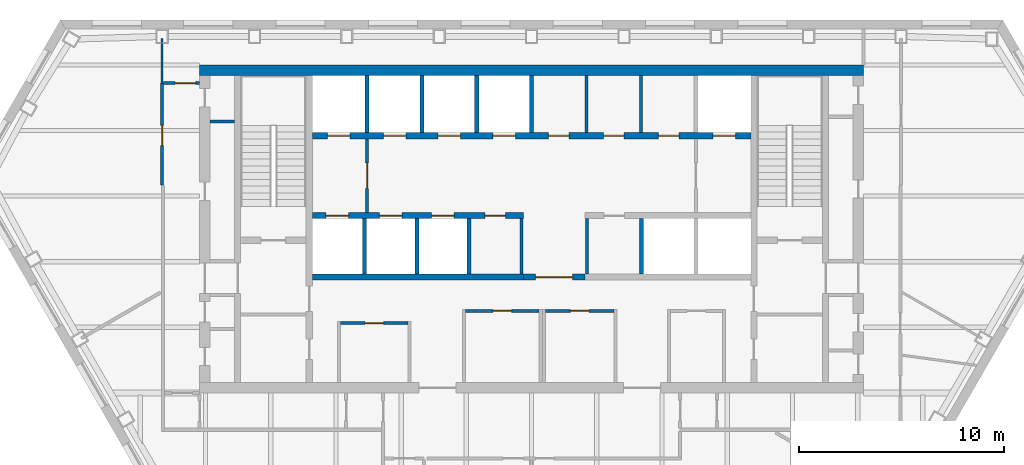
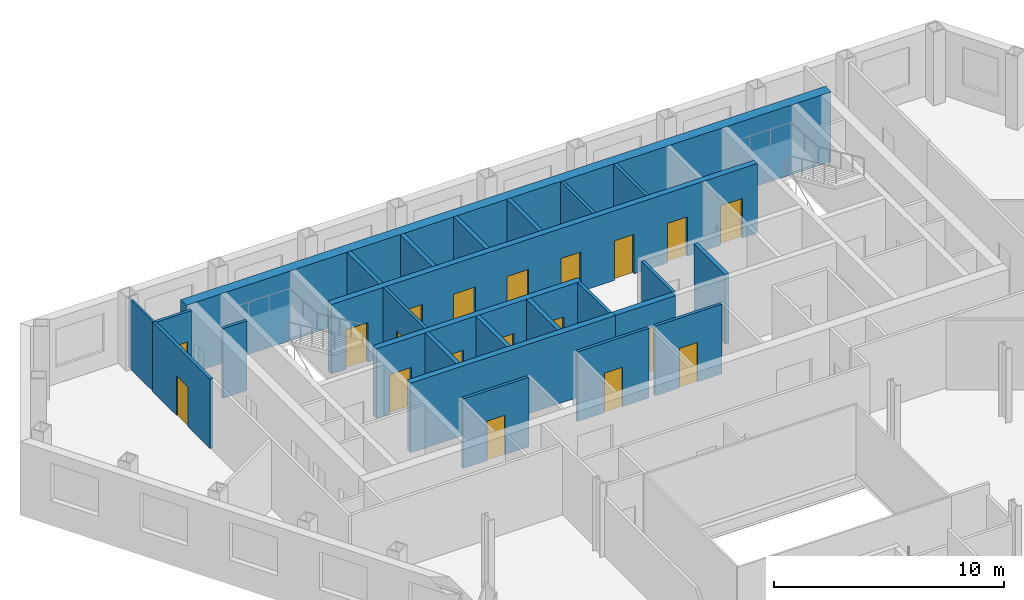
# One storey, part 6 of 11: 25 walls, 19 doors, 19 openings.
"""IFC4 building model written with IfcOpenShell, lengths in metres."""

import ifcopenshell
import ifcopenshell.guid

model = None  # the IFC model being written
_history = None  # IfcOwnerHistory: only IFC2X3 demands one
_inside = {}  # id of a spatial element -> (the spatial element, [elements in it])
_under = {}  # id of a project, library or spatial element -> (it, [spatial elements below it])
_declared = {}  # id of a project -> (the project, [libraries it declares])
_typed = {}  # id of a type object -> (the type object, [elements of that type])
_made_of = {}  # id of a material, layer set ... -> (it, [elements and type objects made of it])


def new_model(schema):
    """Start an empty IFC model of exactly this schema.

    Asked for "IFC4X3", IfcOpenShell would pick the latest addendum, in which some entities
    have other attributes; the version numbers below select the first issue.
    IFC2X3 requires an IfcOwnerHistory on every rooted entity: one is made here for all.
    """
    global model, _history
    if schema == "IFC4X3":
        model = ifcopenshell.file(schema_version=(4, 3, 0, 0))
    else:
        model = ifcopenshell.file(schema=schema)
    _inside.clear()
    _under.clear()
    _declared.clear()
    _typed.clear()
    _made_of.clear()
    _history = None
    if model.schema == "IFC2X3":
        org = make("IfcOrganization", Name="unknown")
        user = make(
            "IfcPersonAndOrganization",
            ThePerson=make("IfcPerson", FamilyName="unknown"),
            TheOrganization=org,
        )
        app = make(
            "IfcApplication",
            ApplicationDeveloper=org,
            Version="unknown",
            ApplicationFullName="unknown",
            ApplicationIdentifier="unknown",
        )
        _history = make(
            "IfcOwnerHistory",
            OwningUser=user,
            OwningApplication=app,
            ChangeAction="ADDED",
            CreationDate=0,
        )
    return model


def make(cls, **values):
    """One entity of the class cls with the attributes given. An attribute that is None is left unset."""
    return model.create_entity(
        cls, **{name: value for name, value in values.items() if value is not None}
    )


def rooted(cls, **values):
    """An entity with a GlobalId (a new one), such as an element, a storey or a relation."""
    return make(cls, GlobalId=ifcopenshell.guid.new(), OwnerHistory=_history, **values)


def si_unit(unit_type, name, prefix=None):
    """IfcSIUnit, for example si_unit("LENGTHUNIT", "METRE", prefix="MILLI")."""
    return make("IfcSIUnit", UnitType=unit_type, Prefix=prefix, Name=name)


def assignment(units):
    """IfcUnitAssignment: the units of a project."""
    return None if units is None else make("IfcUnitAssignment", Units=units)


def point(xyz):
    """IfcCartesianPoint."""
    return None if xyz is None else make("IfcCartesianPoint", Coordinates=xyz)


def direction(xyz):
    """IfcDirection."""
    return None if xyz is None else make("IfcDirection", DirectionRatios=xyz)


def frame(location, z_axis=None, x_axis=None):
    """IfcAxis2Placement3D, a coordinate frame: its origin and axes. An axis left out is left unset."""
    return make(
        "IfcAxis2Placement3D",
        Location=point(location),
        Axis=direction(z_axis),
        RefDirection=direction(x_axis),
    )


def frame_2d(location, x_axis=None):
    """IfcAxis2Placement2D, a coordinate frame in the plane: its origin and x axis."""
    return make(
        "IfcAxis2Placement2D", Location=point(location), RefDirection=direction(x_axis)
    )


def origin():
    """The frame at (0, 0, 0) with its axes left unset."""
    return frame((0.0, 0.0, 0.0))


def place(relative_to, where):
    """IfcLocalPlacement: puts the frame where relative to a parent placement (None: the world)."""
    return make(
        "IfcLocalPlacement", PlacementRelTo=relative_to, RelativePlacement=where
    )


def context(
    kind, dimensions, precision=None, world=None, true_north=None, identifier=None
):
    """IfcGeometricRepresentationContext, for example the 3D "Model" context."""
    return make(
        "IfcGeometricRepresentationContext",
        ContextIdentifier=identifier,
        ContextType=kind,
        CoordinateSpaceDimension=dimensions,
        Precision=precision,
        WorldCoordinateSystem=world,
        TrueNorth=true_north,
    )


def subcontext(parent, identifier, kind, view, scale=None):
    """IfcGeometricRepresentationSubContext, for example "Body" below "Model"."""
    return make(
        "IfcGeometricRepresentationSubContext",
        ContextIdentifier=identifier,
        ContextType=kind,
        ParentContext=parent,
        TargetScale=scale,
        TargetView=view,
    )


def project(units=None, contexts=None):
    """IfcProject with its units and contexts."""
    return rooted(
        "IfcProject",
        Name="project",
        RepresentationContexts=contexts,
        UnitsInContext=assignment(units),
    )


def spatial(cls, under=None, at=None, **own):
    """A site, building, storey or space (cls), placed at a placement, below another one or the project."""
    s = rooted(cls, ObjectPlacement=at, **own)
    if under is not None:
        _under.setdefault(under.id(), (under, []))[1].append(s)
    return s


def profile(cls, at=None, kind="AREA", **sizes):
    """A parametric profile (cls). Its sizes go by their IFC names, for example OverallWidth=200.0."""
    return make(cls, ProfileType=kind, Position=at, **sizes)


def rectangle(**sizes):
    """IfcRectangleProfileDef."""
    return profile("IfcRectangleProfileDef", **sizes)


def extrude(swept, where, along, depth):
    """IfcExtrudedAreaSolid: the profile swept, set in the frame where, extruded along a direction by depth."""
    return make(
        "IfcExtrudedAreaSolid",
        SweptArea=swept,
        Position=where,
        ExtrudedDirection=direction(along),
        Depth=depth,
    )


def shape(context_of_items, identifier, shape_type, items):
    """IfcShapeRepresentation: the items that make up one representation, for example the "Body"."""
    return make(
        "IfcShapeRepresentation",
        ContextOfItems=context_of_items,
        RepresentationIdentifier=identifier,
        RepresentationType=shape_type,
        Items=items,
    )


def material(Name=None, Category=None):
    """IfcMaterial."""
    return make("IfcMaterial", Name=Name, Category=Category)


def layer(
    of_material, thickness, ventilated=None, Name=None, Category=None, Priority=None
):
    """IfcMaterialLayer: one layer of a wall or slab, of a material (None: an air gap)."""
    return make(
        "IfcMaterialLayer",
        Material=of_material,
        LayerThickness=thickness,
        IsVentilated=ventilated,
        Name=Name,
        Category=Category,
        Priority=Priority,
    )


def layer_set(layers, Name=None):
    """IfcMaterialLayerSet."""
    return make("IfcMaterialLayerSet", MaterialLayers=layers, LayerSetName=Name)


def made_of(thing, what):
    """Note that an element or type object is made of a material, layer set ...; save() writes the relation."""
    if what is not None:
        _made_of.setdefault(what.id(), (what, []))[1].append(thing)
    return thing


def type_object(cls, material=None, **own):
    """A type object (cls), such as IfcWallType, which elements share."""
    return made_of(rooted(cls, **own), material)


def element(
    cls,
    number,
    at=None,
    inside=None,
    cuts=None,
    type_object=None,
    material=None,
    context=None,
    identifier="Body",
    shape_type=None,
    held_by="IfcProductDefinitionShape",
    body=None,
    shapes=None,
    **own,
):
    """One element of the class cls, such as IfcWall. Its Tag is "e" and its number.

    at: its placement. inside: the storey or other place that contains it. cuts: it is an
    opening in that element (IfcRelVoidsElement). A single representation is given by context,
    identifier, shape_type and body (its items); several are given by shapes. held_by: the class
    of the entity that holds the representations. save() writes the other relations.
    """
    e = rooted(cls, Tag="e%d" % number, ObjectPlacement=at, **own)
    if body is not None:
        shapes = [shape(context, identifier, shape_type, body)]
    if shapes is not None:
        e.Representation = make(held_by, Representations=shapes)
    if inside is not None:
        _inside.setdefault(inside.id(), (inside, []))[1].append(e)
    if cuts is not None:
        rooted(
            "IfcRelVoidsElement", RelatingBuildingElement=cuts, RelatedOpeningElement=e
        )
    if type_object is not None:
        _typed.setdefault(type_object.id(), (type_object, []))[1].append(e)
    return made_of(e, material)


def fill(opening, filler):
    """IfcRelFillsElement: the door or window that sits in an opening."""
    return rooted(
        "IfcRelFillsElement",
        RelatingOpeningElement=opening,
        RelatedBuildingElement=filler,
    )


def aggregate(whole, parts):
    """IfcRelAggregates: a whole, such as a stair, and the parts it consists of."""
    return rooted("IfcRelAggregates", RelatingObject=whole, RelatedObjects=parts)


def save(model, path):
    """Write the relations noted so far, then the file.

    IfcRelAggregates (storeys below a building ...), IfcRelContainedInSpatialStructure (elements
    in a storey), IfcRelDefinesByType, IfcRelAssociatesMaterial and IfcRelDeclares: one each for
    every whole, place, type object, material and project.
    """
    for whole, parts in _under.values():
        aggregate(whole, parts)
    for where, things in _inside.values():
        rooted(
            "IfcRelContainedInSpatialStructure",
            RelatedElements=things,
            RelatingStructure=where,
        )
    for kind, things in _typed.values():
        rooted("IfcRelDefinesByType", RelatedObjects=things, RelatingType=kind)
    for what, things in _made_of.values():
        rooted("IfcRelAssociatesMaterial", RelatedObjects=things, RelatingMaterial=what)
    for by, libraries in _declared.values():
        rooted("IfcRelDeclares", RelatingContext=by, RelatedDefinitions=libraries)
    model.write(path)


model = new_model("IFC4")

# Units and contexts
model_context = context("Model", 3, precision=1e-05, world=origin(), true_north=direction((0.0, 1.0)))
body_context = subcontext(model_context, "Body", "Model", "MODEL_VIEW")
ifc_project = project(units=[si_unit("LENGTHUNIT", "METRE"), si_unit("AREAUNIT", "SQUARE_METRE"), si_unit("VOLUMEUNIT", "CUBIC_METRE"), si_unit("PLANEANGLEUNIT", "RADIAN"), si_unit("MASSUNIT", "GRAM", prefix="KILO")], contexts=[model_context])

# Site, building, storey
site_placement = place(None, origin())
site = spatial("IfcSite", under=ifc_project, at=site_placement, CompositionType="ELEMENT")
building_placement = place(site_placement, origin())
building = spatial("IfcBuilding", under=site, at=building_placement, Name="Njiva Tower", CompositionType="ELEMENT")
storey_placement = place(building_placement, frame((0.0, 0.0, 143.7)))
storey = spatial("IfcBuildingStorey", under=building, at=storey_placement, Name="L30", CompositionType="ELEMENT", Elevation=143.7)

# Walls
ifc_material_1 = material(Name="Blockwork", Category="masonry")
ifc_layer_1 = layer(ifc_material_1, 0.15)
ifc_layer_set_1 = layer_set([ifc_layer_1], Name="Blockwork")
wall_type_1 = type_object("IfcWallType", Name="WT1 Compartment partition 150", PredefinedType="PARTITIONING", material=ifc_layer_set_1)
for number, where, z_axis, x_axis, name in (
    (1, (2.675, 14.7, 0.0), (0.0, 0.0, 1.0), (0.0, 1.0, 0.0), "Partition CN5"),
    (2, (5.35, 14.7, 0.0), (0.0, 0.0, 1.0), (0.0, 1.0, 0.0), "Partition CN6"),
):
    element("IfcWall", number, at=place(storey_placement, frame(where, z_axis=z_axis, x_axis=x_axis)), inside=storey, type_object=wall_type_1, Name=name, PredefinedType="PARTITIONING", context=body_context, shape_type="SweptSolid", body=[
        extrude(rectangle(XDim=2.8, YDim=0.15, at=frame_2d((1.4, 0.0))), origin(), (0.0, 0.0, 1.0), 3.7),
    ])
for number, where, z_axis, x_axis, name in (
    (3, (-0.5, 7.8, 0.0), (0.0, 0.0, 1.0), (0.0, 1.0, 0.0), "Partition CS4"),
    (4, (2.7, 7.8, 0.0), (0.0, 0.0, 1.0), (0.0, 1.0, 0.0), "Partition CS5"),
):
    element("IfcWall", number, at=place(storey_placement, frame(where, z_axis=z_axis, x_axis=x_axis)), inside=storey, type_object=wall_type_1, Name=name, PredefinedType="PARTITIONING", context=body_context, shape_type="SweptSolid", body=[
        extrude(rectangle(XDim=2.7, YDim=0.15, at=frame_2d((1.35, 0.0))), origin(), (0.0, 0.0, 1.0), 3.7),
    ])

# Wall, opening, door
wall_1_placement = place(storey_placement, frame((-9.325, 5.4, 0.0), z_axis=(0.0, 0.0, 1.0), x_axis=(1.0, 0.0, 0.0)))
wall_1 = element("IfcWall", 5, at=wall_1_placement, inside=storey, type_object=wall_type_1, Name="Security office wall north", PredefinedType="PARTITIONING", context=body_context, shape_type="SweptSolid", body=[
    extrude(rectangle(XDim=3.3, YDim=0.15, at=frame_2d((1.65, 0.0))), origin(), (0.0, 0.0, 1.0), 3.7),
])
opening_1_placement = place(wall_1_placement, frame((1.2, 0.0, 0.0)))
opening_1 = element("IfcOpeningElement", 6, at=opening_1_placement, cuts=wall_1, Name="Opening S10-D934", PredefinedType="OPENING", context=body_context, shape_type="SweptSolid", body=[
    extrude(rectangle(XDim=0.9, YDim=2.1, at=frame_2d((0.45, 1.05))), frame((0.0, 0.085, 0.0), z_axis=(0.0, -1.0, 0.0), x_axis=(1.0, 0.0, 0.0)), (0.0, 0.0, 1.0), 0.17),
])
ifc_material_2 = material(Name="Steel fire door, painted", Category="steel")
door_type_1 = type_object("IfcDoorType", Name="D6 Fire-rated door 900x2100", OperationType="SINGLE_SWING_LEFT", PredefinedType="DOOR", material=ifc_material_2)
door_1_placement = place(opening_1_placement, origin())
door_1 = element("IfcDoor", 7, at=door_1_placement, inside=storey, type_object=door_type_1, Name="Security office door", OperationType="SINGLE_SWING_RIGHT", OverallHeight=2.1, OverallWidth=0.9, PredefinedType="DOOR", context=body_context, shape_type="SweptSolid", body=[
    extrude(rectangle(XDim=0.9, YDim=2.1, at=frame_2d((0.45, 1.05))), frame((0.0, 0.025, 0.0), z_axis=(0.0, -1.0, 0.0), x_axis=(1.0, 0.0, 0.0)), (0.0, 0.0, 1.0), 0.05),
])
fill(opening_1, door_1)

wall_2_placement = place(storey_placement, frame((-3.225, 6.0, 0.0), z_axis=(0.0, 0.0, 1.0), x_axis=(1.0, 0.0, 0.0)))
wall_2 = element("IfcWall", 8, at=wall_2_placement, inside=storey, type_object=wall_type_1, Name="Concierge office wall north", PredefinedType="PARTITIONING", context=body_context, shape_type="SweptSolid", body=[
    extrude(rectangle(XDim=3.6, YDim=0.15, at=frame_2d((1.8, 0.0))), origin(), (0.0, 0.0, 1.0), 3.7),
])
opening_2_placement = place(wall_2_placement, frame((1.35, 0.0, 0.0)))
opening_2 = element("IfcOpeningElement", 9, at=opening_2_placement, cuts=wall_2, Name="Opening S10-D935", PredefinedType="OPENING", context=body_context, shape_type="SweptSolid", body=[
    extrude(rectangle(XDim=0.9, YDim=2.1, at=frame_2d((0.45, 1.05))), frame((0.0, 0.085, 0.0), z_axis=(0.0, -1.0, 0.0), x_axis=(1.0, 0.0, 0.0)), (0.0, 0.0, 1.0), 0.17),
])
door_2_placement = place(opening_2_placement, origin())
door_2 = element("IfcDoor", 10, at=door_2_placement, inside=storey, type_object=door_type_1, Name="Concierge office door", OperationType="SINGLE_SWING_LEFT", OverallHeight=2.1, OverallWidth=0.9, PredefinedType="DOOR", context=body_context, shape_type="SweptSolid", body=[
    extrude(rectangle(XDim=0.9, YDim=2.1, at=frame_2d((0.45, 1.05))), frame((0.0, 0.025, 0.0), z_axis=(0.0, -1.0, 0.0), x_axis=(1.0, 0.0, 0.0)), (0.0, 0.0, 1.0), 0.05),
])
fill(opening_2, door_2)

wall_3_placement = place(storey_placement, frame((0.675, 6.0, 0.0), z_axis=(0.0, 0.0, 1.0), x_axis=(1.0, 0.0, 0.0)))
wall_3 = element("IfcWall", 11, at=wall_3_placement, inside=storey, type_object=wall_type_1, Name="Post room wall north", PredefinedType="PARTITIONING", context=body_context, shape_type="SweptSolid", body=[
    extrude(rectangle(XDim=3.35, YDim=0.15, at=frame_2d((1.675, 0.0))), origin(), (0.0, 0.0, 1.0), 3.7),
])
opening_3_placement = place(wall_3_placement, frame((1.225, 0.0, 0.0)))
opening_3 = element("IfcOpeningElement", 12, at=opening_3_placement, cuts=wall_3, Name="Opening S10-D936", PredefinedType="OPENING", context=body_context, shape_type="SweptSolid", body=[
    extrude(rectangle(XDim=0.9, YDim=2.1, at=frame_2d((0.45, 1.05))), frame((0.0, 0.085, 0.0), z_axis=(0.0, -1.0, 0.0), x_axis=(1.0, 0.0, 0.0)), (0.0, 0.0, 1.0), 0.17),
])
door_3_placement = place(opening_3_placement, origin())
door_3 = element("IfcDoor", 13, at=door_3_placement, inside=storey, type_object=door_type_1, Name="Post room door", OperationType="SINGLE_SWING_LEFT", OverallHeight=2.1, OverallWidth=0.9, PredefinedType="DOOR", context=body_context, shape_type="SweptSolid", body=[
    extrude(rectangle(XDim=0.9, YDim=2.1, at=frame_2d((0.45, 1.05))), frame((0.0, 0.025, 0.0), z_axis=(0.0, -1.0, 0.0), x_axis=(1.0, 0.0, 0.0)), (0.0, 0.0, 1.0), 0.05),
])
fill(opening_3, door_3)

# Wall
ifc_material_3 = material(Name="Concrete C60/75", Category="concrete")
ifc_layer_2 = layer(ifc_material_3, 0.5)
ifc_layer_set_2 = layer_set([ifc_layer_2], Name="Concrete C60/75")
wall_type_2 = type_object("IfcWallType", Name="WT13 Core wall 500", PredefinedType="SHEAR", material=ifc_layer_set_2)
wall_4_placement = place(storey_placement, frame((-16.2, 17.75, 0.0), z_axis=(0.0, 0.0, 1.0), x_axis=(1.0, 0.0, 0.0)))
element("IfcWall", 14, at=wall_4_placement, inside=storey, type_object=wall_type_2, Name="Core wall north", PredefinedType="SHEAR", context=body_context, shape_type="SweptSolid", body=[
    extrude(rectangle(XDim=32.4, YDim=0.5, at=frame_2d((16.2, 0.0))), origin(), (0.0, 0.0, 1.0), 3.7),
])

# Wall, opening, door
ifc_layer_3 = layer(ifc_material_1, 0.15)
ifc_layer_set_3 = layer_set([ifc_layer_3], Name="Blockwork")
wall_type_3 = type_object("IfcWallType", Name="WT2 Lobby partition 150", PredefinedType="PARTITIONING", material=ifc_layer_set_3)
wall_5_placement = place(storey_placement, frame((-8.025, 10.8, 0.0), z_axis=(0.0, 0.0, 1.0), x_axis=(0.0, 1.0, 0.0)))
wall_5 = element("IfcWall", 15, at=wall_5_placement, inside=storey, type_object=wall_type_3, Name="Firefighting lobby wall A", PredefinedType="PARTITIONING", context=body_context, shape_type="SweptSolid", body=[
    extrude(rectangle(XDim=3.6, YDim=0.15, at=frame_2d((1.8, 0.0))), origin(), (0.0, 0.0, 1.0), 3.7),
])
opening_4_placement = place(wall_5_placement, frame((1.175, 0.0, 0.0)))
opening_4 = element("IfcOpeningElement", 16, at=opening_4_placement, cuts=wall_5, Name="Opening S10-D914", PredefinedType="OPENING", context=body_context, shape_type="SweptSolid", body=[
    extrude(rectangle(XDim=1.25, YDim=2.1, at=frame_2d((0.625, 1.05))), frame((0.0, 0.085, 0.0), z_axis=(0.0, -1.0, 0.0), x_axis=(1.0, 0.0, 0.0)), (0.0, 0.0, 1.0), 0.17),
])
ifc_material_4 = material(Name="Glazed steel fire door", Category="steel")
door_type_2 = type_object("IfcDoorType", Name="D8 Vestibule corridor door 1250x2100 glazed", OperationType="SINGLE_SWING_LEFT", PredefinedType="DOOR", material=ifc_material_4)
door_4_placement = place(opening_4_placement, origin())
door_4 = element("IfcDoor", 17, at=door_4_placement, inside=storey, type_object=door_type_2, Name="Stair vestibule corridor door", OperationType="SINGLE_SWING_RIGHT", OverallHeight=2.1, OverallWidth=1.25, PredefinedType="DOOR", context=body_context, shape_type="SweptSolid", body=[
    extrude(rectangle(XDim=1.25, YDim=2.1, at=frame_2d((0.625, 1.05))), frame((0.0, 0.025, 0.0), z_axis=(0.0, -1.0, 0.0), x_axis=(1.0, 0.0, 0.0)), (0.0, 0.0, 1.0), 0.05),
])
fill(opening_4, door_4)

# Wall
ifc_material_5 = material(Name="Gypsum board on steel studs", Category="gypsum")
ifc_layer_4 = layer(ifc_material_5, 0.1)
ifc_layer_set_4 = layer_set([ifc_layer_4], Name="Gypsum board on steel studs")
wall_type_4 = type_object("IfcWallType", Name="WT20 Gypsum partition 100", PredefinedType="PARTITIONING", material=ifc_layer_set_4)
wall_6_placement = place(storey_placement, frame((-18.034, 17.129, 0.0), z_axis=(0.0, 0.0, 1.0), x_axis=(0.0, 1.0, 0.0)))
element("IfcWall", 18, at=wall_6_placement, inside=storey, type_object=wall_type_4, Name="Partition S10-P003", PredefinedType="PARTITIONING", context=body_context, shape_type="SweptSolid", body=[
    extrude(rectangle(XDim=2.171, YDim=0.1, at=frame_2d((1.0855, 0.0))), origin(), (0.0, 0.0, 1.0), 3.7),
])

# Wall, opening, door
ifc_layer_5 = layer(ifc_material_5, 0.15)
ifc_layer_set_5 = layer_set([ifc_layer_5], Name="Gypsum board on steel studs")
wall_type_5 = type_object("IfcWallType", Name="WT21 Compartment wall 150", PredefinedType="PARTITIONING", material=ifc_layer_set_5)
wall_7_placement = place(storey_placement, frame((-18.034, 12.146, 0.0), z_axis=(0.0, 0.0, 1.0), x_axis=(0.0, 1.0, 0.0)))
wall_7 = element("IfcWall", 19, at=wall_7_placement, inside=storey, type_object=wall_type_5, Name="Partition S10-P002", PredefinedType="PARTITIONING", context=body_context, shape_type="SweptSolid", body=[
    extrude(rectangle(XDim=4.983, YDim=0.15, at=frame_2d((2.4915, 0.0))), origin(), (0.0, 0.0, 1.0), 3.7),
])
opening_5_placement = place(wall_7_placement, frame((1.916, 0.0, 0.0)))
opening_5 = element("IfcOpeningElement", 20, at=opening_5_placement, cuts=wall_7, Name="Opening S10-D001", PredefinedType="OPENING", context=body_context, shape_type="SweptSolid", body=[
    extrude(rectangle(XDim=1.0, YDim=2.1, at=frame_2d((0.5, 1.05))), frame((0.0, 0.085, 0.0), z_axis=(0.0, -1.0, 0.0), x_axis=(1.0, 0.0, 0.0)), (0.0, 0.0, 1.0), 0.17),
])
ifc_material_6 = material(Name="Steel fire door set", Category="steel")
door_type_3 = type_object("IfcDoorType", Name="D37 Fire door 1000x2100", OperationType="SINGLE_SWING_LEFT", PredefinedType="DOOR", material=ifc_material_6)
door_5_placement = place(opening_5_placement, origin())
door_5 = element("IfcDoor", 21, at=door_5_placement, inside=storey, type_object=door_type_3, Name="Door S10-D001", OperationType="SINGLE_SWING_RIGHT", OverallHeight=2.1, OverallWidth=1.0, PredefinedType="DOOR", context=body_context, shape_type="SweptSolid", body=[
    extrude(rectangle(XDim=1.0, YDim=2.1, at=frame_2d((0.5, 1.05))), frame((0.0, 0.025, 0.0), z_axis=(0.0, -1.0, 0.0), x_axis=(1.0, 0.0, 0.0)), (0.0, 0.0, 1.0), 0.05),
])
fill(opening_5, door_5)

wall_8_placement = place(storey_placement, frame((-17.959, 17.117, 0.0), z_axis=(0.0, 0.0, 1.0), x_axis=(1.0, 0.0, 0.0)))
wall_8 = element("IfcWall", 22, at=wall_8_placement, inside=storey, type_object=wall_type_5, Name="Partition S10-P005", PredefinedType="PARTITIONING", context=body_context, shape_type="SweptSolid", body=[
    extrude(rectangle(XDim=1.759, YDim=0.15, at=frame_2d((0.8795, 0.0))), origin(), (0.0, 0.0, 1.0), 3.7),
])
opening_6_placement = place(wall_8_placement, frame((0.559, 0.0, 0.0)))
opening_6 = element("IfcOpeningElement", 23, at=opening_6_placement, cuts=wall_8, Name="Opening S10-D002", PredefinedType="OPENING", context=body_context, shape_type="SweptSolid", body=[
    extrude(rectangle(XDim=1.0, YDim=2.1, at=frame_2d((0.5, 1.05))), frame((0.0, 0.085, 0.0), z_axis=(0.0, -1.0, 0.0), x_axis=(1.0, 0.0, 0.0)), (0.0, 0.0, 1.0), 0.17),
])
door_6_placement = place(opening_6_placement, origin())
door_6 = element("IfcDoor", 24, at=door_6_placement, inside=storey, type_object=door_type_3, Name="Door S10-D002", OperationType="SINGLE_SWING_LEFT", OverallHeight=2.1, OverallWidth=1.0, PredefinedType="DOOR", context=body_context, shape_type="SweptSolid", body=[
    extrude(rectangle(XDim=1.0, YDim=2.1, at=frame_2d((0.5, 1.05))), frame((0.0, 0.025, 0.0), z_axis=(0.0, -1.0, 0.0), x_axis=(1.0, 0.0, 0.0)), (0.0, 0.0, 1.0), 0.05),
])
fill(opening_6, door_6)

# Wall
ifc_layer_6 = layer(ifc_material_1, 0.15)
ifc_layer_set_6 = layer_set([ifc_layer_6], Name="Blockwork")
wall_type_6 = type_object("IfcWallType", Name="WT3 Riser partition 150", PredefinedType="PARTITIONING", material=ifc_layer_set_6)
wall_9_placement = place(storey_placement, frame((-15.7, 15.2396, 0.0), z_axis=(0.0, 0.0, 1.0), x_axis=(1.0, 0.0, 0.0)))
element("IfcWall", 25, at=wall_9_placement, inside=storey, type_object=wall_type_6, Name="Partition strip W10", PredefinedType="PARTITIONING", context=body_context, shape_type="SweptSolid", body=[
    extrude(rectangle(XDim=1.2, YDim=0.15, at=frame_2d((0.6, 0.0))), origin(), (0.0, 0.0, 1.0), 3.7),
])

# Wall, opening, door
ifc_layer_7 = layer(ifc_material_1, 0.3)
ifc_layer_set_7 = layer_set([ifc_layer_7], Name="Blockwork")
wall_type_7 = type_object("IfcWallType", Name="WT5 Lobby partition 300", PredefinedType="PARTITIONING", material=ifc_layer_set_7)
wall_10_placement = place(storey_placement, frame((-0.4, 7.65, 0.0), z_axis=(0.0, 0.0, 1.0), x_axis=(1.0, 0.0, 0.0)))
wall_10 = element("IfcWall", 26, at=wall_10_placement, inside=storey, type_object=wall_type_7, Name="Lift lobby screen wall", PredefinedType="PARTITIONING", context=body_context, shape_type="SweptSolid", body=[
    extrude(rectangle(XDim=3.0, YDim=0.3, at=frame_2d((1.5, 0.0))), origin(), (0.0, 0.0, 1.0), 3.7),
])
opening_7_placement = place(wall_10_placement, frame((0.6, 0.0, 0.0)))
opening_7 = element("IfcOpeningElement", 27, at=opening_7_placement, cuts=wall_10, Name="Opening S10-D938", PredefinedType="OPENING", context=body_context, shape_type="SweptSolid", body=[
    extrude(rectangle(XDim=1.8, YDim=2.4, at=frame_2d((0.9, 1.2))), frame((0.0, 0.16, 0.0), z_axis=(0.0, -1.0, 0.0), x_axis=(1.0, 0.0, 0.0)), (0.0, 0.0, 1.0), 0.32),
])
ifc_material_7 = material(Name="Steel and glass door", Category="steel")
door_type_4 = type_object("IfcDoorType", Name="D3 Core entrance door 1800x2400", OperationType="DOUBLE_DOOR_SINGLE_SWING", PredefinedType="DOOR", material=ifc_material_7)
door_7_placement = place(opening_7_placement, origin())
door_7 = element("IfcDoor", 28, at=door_7_placement, inside=storey, type_object=door_type_4, Name="Core entrance door", OperationType="DOUBLE_DOOR_SINGLE_SWING", OverallHeight=2.4, OverallWidth=1.8, PredefinedType="DOOR", context=body_context, shape_type="SweptSolid", body=[
    extrude(rectangle(XDim=1.8, YDim=2.4, at=frame_2d((0.9, 1.2))), frame((0.0, 0.025, 0.0), z_axis=(0.0, -1.0, 0.0), x_axis=(1.0, 0.0, 0.0)), (0.0, 0.0, 1.0), 0.05),
])
fill(opening_7, door_7)

# Walls
ifc_material_8 = material(Name="Concrete C40/50", Category="concrete")
ifc_layer_8 = layer(ifc_material_8, 0.2)
ifc_layer_set_8 = layer_set([ifc_layer_8], Name="Concrete C40/50")
wall_type_8 = type_object("IfcWallType", Name="WT6 Lift shaft wall 200", PredefinedType="SHEAR", material=ifc_layer_set_8)
for number, where, z_axis, x_axis, name in (
    (29, (-8.025, 14.7, 0.0), (0.0, 0.0, 1.0), (0.0, 1.0, 0.0), "Shaft wall CN1"),
    (30, (-5.35, 14.7, 0.0), (0.0, 0.0, 1.0), (0.0, 1.0, 0.0), "Shaft wall CN2"),
    (31, (-2.675, 14.7, 0.0), (0.0, 0.0, 1.0), (0.0, 1.0, 0.0), "Shaft wall CN3"),
    (32, (0.0, 14.7, 0.0), (0.0, 0.0, 1.0), (0.0, 1.0, 0.0), "Shaft wall CN4"),
):
    element("IfcWall", number, at=place(storey_placement, frame(where, z_axis=z_axis, x_axis=x_axis)), inside=storey, type_object=wall_type_8, Name=name, PredefinedType="SHEAR", context=body_context, shape_type="SweptSolid", body=[
        extrude(rectangle(XDim=2.8, YDim=0.2, at=frame_2d((1.4, 0.0))), origin(), (0.0, 0.0, 1.0), 3.7),
    ])
for number, where, z_axis, x_axis, name in (
    (33, (-8.15, 7.8, 0.0), (0.0, 0.0, 1.0), (0.0, 1.0, 0.0), "Shaft wall CS1"),
    (34, (-5.6, 7.8, 0.0), (0.0, 0.0, 1.0), (0.0, 1.0, 0.0), "Shaft wall CS2"),
    (35, (-3.05, 7.8, 0.0), (0.0, 0.0, 1.0), (0.0, 1.0, 0.0), "Shaft wall CS3"),
    (36, (5.3667, 7.8, 0.0), (0.0, 0.0, 1.0), (0.0, 1.0, 0.0), "Shaft wall CS6"),
):
    element("IfcWall", number, at=place(storey_placement, frame(where, z_axis=z_axis, x_axis=x_axis)), inside=storey, type_object=wall_type_8, Name=name, PredefinedType="SHEAR", context=body_context, shape_type="SweptSolid", body=[
        extrude(rectangle(XDim=2.7, YDim=0.2, at=frame_2d((1.35, 0.0))), origin(), (0.0, 0.0, 1.0), 3.7),
    ])

# Wall, openings, doors
ifc_layer_9 = layer(ifc_material_8, 0.3)
ifc_layer_set_9 = layer_set([ifc_layer_9], Name="Concrete C40/50")
wall_type_9 = type_object("IfcWallType", Name="WT7 Lift shaft wall 300", PredefinedType="SHEAR", material=ifc_layer_set_9)
wall_11_placement = place(storey_placement, frame((-10.7, 14.55, 0.0), z_axis=(0.0, 0.0, 1.0), x_axis=(1.0, 0.0, 0.0)))
wall_11 = element("IfcWall", 37, at=wall_11_placement, inside=storey, type_object=wall_type_9, Name="Shaft wall north row lobby side", PredefinedType="SHEAR", context=body_context, shape_type="SweptSolid", body=[
    extrude(rectangle(XDim=21.4, YDim=0.3, at=frame_2d((10.7, 0.0))), origin(), (0.0, 0.0, 1.0), 3.7),
])
opening_8_placement = place(wall_11_placement, frame((0.7375, 0.0, 0.0)))
opening_8 = element("IfcOpeningElement", 38, at=opening_8_placement, cuts=wall_11, Name="Opening S10-D901", PredefinedType="OPENING", context=body_context, shape_type="SweptSolid", body=[
    extrude(rectangle(XDim=1.1, YDim=2.1, at=frame_2d((0.55, 1.05))), frame((0.0, 0.16, 0.0), z_axis=(0.0, -1.0, 0.0), x_axis=(1.0, 0.0, 0.0)), (0.0, 0.0, 1.0), 0.32),
])
opening_9_placement = place(wall_11_placement, frame((3.4625, 0.0, 0.0)))
opening_9 = element("IfcOpeningElement", 39, at=opening_9_placement, cuts=wall_11, Name="Opening S10-D902", PredefinedType="OPENING", context=body_context, shape_type="SweptSolid", body=[
    extrude(rectangle(XDim=1.1, YDim=2.1, at=frame_2d((0.55, 1.05))), frame((0.0, 0.16, 0.0), z_axis=(0.0, -1.0, 0.0), x_axis=(1.0, 0.0, 0.0)), (0.0, 0.0, 1.0), 0.32),
])
opening_10_placement = place(wall_11_placement, frame((6.1375, 0.0, 0.0)))
opening_10 = element("IfcOpeningElement", 40, at=opening_10_placement, cuts=wall_11, Name="Opening S10-D903", PredefinedType="OPENING", context=body_context, shape_type="SweptSolid", body=[
    extrude(rectangle(XDim=1.1, YDim=2.1, at=frame_2d((0.55, 1.05))), frame((0.0, 0.16, 0.0), z_axis=(0.0, -1.0, 0.0), x_axis=(1.0, 0.0, 0.0)), (0.0, 0.0, 1.0), 0.32),
])
opening_11_placement = place(wall_11_placement, frame((8.8125, 0.0, 0.0)))
opening_11 = element("IfcOpeningElement", 41, at=opening_11_placement, cuts=wall_11, Name="Opening S10-D904", PredefinedType="OPENING", context=body_context, shape_type="SweptSolid", body=[
    extrude(rectangle(XDim=1.1, YDim=2.1, at=frame_2d((0.55, 1.05))), frame((0.0, 0.16, 0.0), z_axis=(0.0, -1.0, 0.0), x_axis=(1.0, 0.0, 0.0)), (0.0, 0.0, 1.0), 0.32),
])
opening_12_placement = place(wall_11_placement, frame((19.5625, 0.0, 0.0)))
opening_12 = element("IfcOpeningElement", 42, at=opening_12_placement, cuts=wall_11, Name="Opening S10-D905", PredefinedType="OPENING", context=body_context, shape_type="SweptSolid", body=[
    extrude(rectangle(XDim=1.1, YDim=2.1, at=frame_2d((0.55, 1.05))), frame((0.0, 0.16, 0.0), z_axis=(0.0, -1.0, 0.0), x_axis=(1.0, 0.0, 0.0)), (0.0, 0.0, 1.0), 0.32),
])
opening_13_placement = place(wall_11_placement, frame((11.5375, 0.0, 0.0)))
opening_13 = element("IfcOpeningElement", 43, at=opening_13_placement, cuts=wall_11, Name="Opening S10-D909", PredefinedType="OPENING", context=body_context, shape_type="SweptSolid", body=[
    extrude(rectangle(XDim=1.0, YDim=2.1, at=frame_2d((0.5, 1.05))), frame((0.0, 0.16, 0.0), z_axis=(0.0, -1.0, 0.0), x_axis=(1.0, 0.0, 0.0)), (0.0, 0.0, 1.0), 0.32),
])
opening_14_placement = place(wall_11_placement, frame((14.2125, 0.0, 0.0)))
opening_14 = element("IfcOpeningElement", 44, at=opening_14_placement, cuts=wall_11, Name="Opening S10-D910", PredefinedType="OPENING", context=body_context, shape_type="SweptSolid", body=[
    extrude(rectangle(XDim=1.0, YDim=2.1, at=frame_2d((0.5, 1.05))), frame((0.0, 0.16, 0.0), z_axis=(0.0, -1.0, 0.0), x_axis=(1.0, 0.0, 0.0)), (0.0, 0.0, 1.0), 0.32),
])
opening_15_placement = place(wall_11_placement, frame((16.8875, 0.0, 0.0)))
opening_15 = element("IfcOpeningElement", 45, at=opening_15_placement, cuts=wall_11, Name="Opening S10-D911", PredefinedType="OPENING", context=body_context, shape_type="SweptSolid", body=[
    extrude(rectangle(XDim=1.0, YDim=2.1, at=frame_2d((0.5, 1.05))), frame((0.0, 0.16, 0.0), z_axis=(0.0, -1.0, 0.0), x_axis=(1.0, 0.0, 0.0)), (0.0, 0.0, 1.0), 0.32),
])
ifc_material_9 = material(Name="Steel door, painted", Category="steel")
door_type_5 = type_object("IfcDoorType", Name="D5 Steel door 1000x2100", OperationType="SINGLE_SWING_LEFT", PredefinedType="DOOR", material=ifc_material_9)
door_8_placement = place(opening_13_placement, origin())
door_8 = element("IfcDoor", 46, at=door_8_placement, inside=storey, type_object=door_type_5, Name="Business centre door", OperationType="SINGLE_SWING_LEFT", OverallHeight=2.1, OverallWidth=1.0, PredefinedType="DOOR", context=body_context, shape_type="SweptSolid", body=[
    extrude(rectangle(XDim=1.0, YDim=2.1, at=frame_2d((0.5, 1.05))), frame((0.0, 0.025, 0.0), z_axis=(0.0, -1.0, 0.0), x_axis=(1.0, 0.0, 0.0)), (0.0, 0.0, 1.0), 0.05),
])
fill(opening_13, door_8)
door_9_placement = place(opening_14_placement, origin())
door_9 = element("IfcDoor", 47, at=door_9_placement, inside=storey, type_object=door_type_5, Name="Meeting room door", OperationType="SINGLE_SWING_LEFT", OverallHeight=2.1, OverallWidth=1.0, PredefinedType="DOOR", context=body_context, shape_type="SweptSolid", body=[
    extrude(rectangle(XDim=1.0, YDim=2.1, at=frame_2d((0.5, 1.05))), frame((0.0, 0.025, 0.0), z_axis=(0.0, -1.0, 0.0), x_axis=(1.0, 0.0, 0.0)), (0.0, 0.0, 1.0), 0.05),
])
fill(opening_14, door_9)
door_10_placement = place(opening_15_placement, origin())
door_10 = element("IfcDoor", 48, at=door_10_placement, inside=storey, type_object=door_type_5, Name="Breakout room door", OperationType="SINGLE_SWING_LEFT", OverallHeight=2.1, OverallWidth=1.0, PredefinedType="DOOR", context=body_context, shape_type="SweptSolid", body=[
    extrude(rectangle(XDim=1.0, YDim=2.1, at=frame_2d((0.5, 1.05))), frame((0.0, 0.025, 0.0), z_axis=(0.0, -1.0, 0.0), x_axis=(1.0, 0.0, 0.0)), (0.0, 0.0, 1.0), 0.05),
])
fill(opening_15, door_10)
ifc_material_10 = material(Name="Stainless steel sliding door", Category="steel")
door_type_6 = type_object("IfcDoorType", Name="LD Lift landing door 1100x2100", OperationType="SLIDING_TO_LEFT", PredefinedType="DOOR", material=ifc_material_10)
door_11_placement = place(opening_8_placement, origin())
door_11 = element("IfcDoor", 49, at=door_11_placement, inside=storey, type_object=door_type_6, Name="Lift landing door FF1", OperationType="SLIDING_TO_LEFT", OverallHeight=2.1, OverallWidth=1.1, PredefinedType="DOOR", context=body_context, shape_type="SweptSolid", body=[
    extrude(rectangle(XDim=1.1, YDim=2.1, at=frame_2d((0.55, 1.05))), frame((0.0, 0.025, 0.0), z_axis=(0.0, -1.0, 0.0), x_axis=(1.0, 0.0, 0.0)), (0.0, 0.0, 1.0), 0.05),
])
fill(opening_8, door_11)
door_12_placement = place(opening_9_placement, origin())
door_12 = element("IfcDoor", 50, at=door_12_placement, inside=storey, type_object=door_type_6, Name="Lift landing door MB4", OperationType="SLIDING_TO_LEFT", OverallHeight=2.1, OverallWidth=1.1, PredefinedType="DOOR", context=body_context, shape_type="SweptSolid", body=[
    extrude(rectangle(XDim=1.1, YDim=2.1, at=frame_2d((0.55, 1.05))), frame((0.0, 0.025, 0.0), z_axis=(0.0, -1.0, 0.0), x_axis=(1.0, 0.0, 0.0)), (0.0, 0.0, 1.0), 0.05),
])
fill(opening_9, door_12)
door_13_placement = place(opening_10_placement, origin())
door_13 = element("IfcDoor", 51, at=door_13_placement, inside=storey, type_object=door_type_6, Name="Lift landing door MB5", OperationType="SLIDING_TO_LEFT", OverallHeight=2.1, OverallWidth=1.1, PredefinedType="DOOR", context=body_context, shape_type="SweptSolid", body=[
    extrude(rectangle(XDim=1.1, YDim=2.1, at=frame_2d((0.55, 1.05))), frame((0.0, 0.025, 0.0), z_axis=(0.0, -1.0, 0.0), x_axis=(1.0, 0.0, 0.0)), (0.0, 0.0, 1.0), 0.05),
])
fill(opening_10, door_13)
door_14_placement = place(opening_11_placement, origin())
door_14 = element("IfcDoor", 52, at=door_14_placement, inside=storey, type_object=door_type_6, Name="Lift landing door MB6", OperationType="SLIDING_TO_LEFT", OverallHeight=2.1, OverallWidth=1.1, PredefinedType="DOOR", context=body_context, shape_type="SweptSolid", body=[
    extrude(rectangle(XDim=1.1, YDim=2.1, at=frame_2d((0.55, 1.05))), frame((0.0, 0.025, 0.0), z_axis=(0.0, -1.0, 0.0), x_axis=(1.0, 0.0, 0.0)), (0.0, 0.0, 1.0), 0.05),
])
fill(opening_11, door_14)
door_15_placement = place(opening_12_placement, origin())
door_15 = element("IfcDoor", 53, at=door_15_placement, inside=storey, type_object=door_type_6, Name="Lift landing door FF2", OperationType="SLIDING_TO_LEFT", OverallHeight=2.1, OverallWidth=1.1, PredefinedType="DOOR", context=body_context, shape_type="SweptSolid", body=[
    extrude(rectangle(XDim=1.1, YDim=2.1, at=frame_2d((0.55, 1.05))), frame((0.0, 0.025, 0.0), z_axis=(0.0, -1.0, 0.0), x_axis=(1.0, 0.0, 0.0)), (0.0, 0.0, 1.0), 0.05),
])
fill(opening_12, door_15)

wall_12_placement = place(storey_placement, frame((-10.7, 10.65, 0.0), z_axis=(0.0, 0.0, 1.0), x_axis=(1.0, 0.0, 0.0)))
wall_12 = element("IfcWall", 54, at=wall_12_placement, inside=storey, type_object=wall_type_9, Name="Shaft wall south row lobby side W", PredefinedType="SHEAR", context=body_context, shape_type="SweptSolid", body=[
    extrude(rectangle(XDim=10.3, YDim=0.3, at=frame_2d((5.15, 0.0))), origin(), (0.0, 0.0, 1.0), 3.7),
])
opening_16_placement = place(wall_12_placement, frame((0.675, 0.0, 0.0)))
opening_16 = element("IfcOpeningElement", 55, at=opening_16_placement, cuts=wall_12, Name="Opening S10-D906", PredefinedType="OPENING", context=body_context, shape_type="SweptSolid", body=[
    extrude(rectangle(XDim=1.1, YDim=2.1, at=frame_2d((0.55, 1.05))), frame((0.0, 0.16, 0.0), z_axis=(0.0, -1.0, 0.0), x_axis=(1.0, 0.0, 0.0)), (0.0, 0.0, 1.0), 0.32),
])
opening_17_placement = place(wall_12_placement, frame((3.275, 0.0, 0.0)))
opening_17 = element("IfcOpeningElement", 56, at=opening_17_placement, cuts=wall_12, Name="Opening S10-D907", PredefinedType="OPENING", context=body_context, shape_type="SweptSolid", body=[
    extrude(rectangle(XDim=1.1, YDim=2.1, at=frame_2d((0.55, 1.05))), frame((0.0, 0.16, 0.0), z_axis=(0.0, -1.0, 0.0), x_axis=(1.0, 0.0, 0.0)), (0.0, 0.0, 1.0), 0.32),
])
opening_18_placement = place(wall_12_placement, frame((5.825, 0.0, 0.0)))
opening_18 = element("IfcOpeningElement", 57, at=opening_18_placement, cuts=wall_12, Name="Opening S10-D908", PredefinedType="OPENING", context=body_context, shape_type="SweptSolid", body=[
    extrude(rectangle(XDim=1.1, YDim=2.1, at=frame_2d((0.55, 1.05))), frame((0.0, 0.16, 0.0), z_axis=(0.0, -1.0, 0.0), x_axis=(1.0, 0.0, 0.0)), (0.0, 0.0, 1.0), 0.32),
])
opening_19_placement = place(wall_12_placement, frame((8.425, 0.0, 0.0)))
opening_19 = element("IfcOpeningElement", 58, at=opening_19_placement, cuts=wall_12, Name="Opening S10-D912", PredefinedType="OPENING", context=body_context, shape_type="SweptSolid", body=[
    extrude(rectangle(XDim=1.0, YDim=2.1, at=frame_2d((0.5, 1.05))), frame((0.0, 0.16, 0.0), z_axis=(0.0, -1.0, 0.0), x_axis=(1.0, 0.0, 0.0)), (0.0, 0.0, 1.0), 0.32),
])
door_16_placement = place(opening_19_placement, origin())
door_16 = element("IfcDoor", 59, at=door_16_placement, inside=storey, type_object=door_type_5, Name="Breakout room door", OperationType="SINGLE_SWING_RIGHT", OverallHeight=2.1, OverallWidth=1.0, PredefinedType="DOOR", context=body_context, shape_type="SweptSolid", body=[
    extrude(rectangle(XDim=1.0, YDim=2.1, at=frame_2d((0.5, 1.05))), frame((0.0, 0.025, 0.0), z_axis=(0.0, -1.0, 0.0), x_axis=(1.0, 0.0, 0.0)), (0.0, 0.0, 1.0), 0.05),
])
fill(opening_19, door_16)
door_17_placement = place(opening_16_placement, origin())
door_17 = element("IfcDoor", 60, at=door_17_placement, inside=storey, type_object=door_type_6, Name="Lift landing door MB1", OperationType="SLIDING_TO_LEFT", OverallHeight=2.1, OverallWidth=1.1, PredefinedType="DOOR", context=body_context, shape_type="SweptSolid", body=[
    extrude(rectangle(XDim=1.1, YDim=2.1, at=frame_2d((0.55, 1.05))), frame((0.0, 0.025, 0.0), z_axis=(0.0, -1.0, 0.0), x_axis=(1.0, 0.0, 0.0)), (0.0, 0.0, 1.0), 0.05),
])
fill(opening_16, door_17)
door_18_placement = place(opening_17_placement, origin())
door_18 = element("IfcDoor", 61, at=door_18_placement, inside=storey, type_object=door_type_6, Name="Lift landing door MB2", OperationType="SLIDING_TO_LEFT", OverallHeight=2.1, OverallWidth=1.1, PredefinedType="DOOR", context=body_context, shape_type="SweptSolid", body=[
    extrude(rectangle(XDim=1.1, YDim=2.1, at=frame_2d((0.55, 1.05))), frame((0.0, 0.025, 0.0), z_axis=(0.0, -1.0, 0.0), x_axis=(1.0, 0.0, 0.0)), (0.0, 0.0, 1.0), 0.05),
])
fill(opening_17, door_18)
door_19_placement = place(opening_18_placement, origin())
door_19 = element("IfcDoor", 62, at=door_19_placement, inside=storey, type_object=door_type_6, Name="Lift landing door MB3", OperationType="SLIDING_TO_LEFT", OverallHeight=2.1, OverallWidth=1.1, PredefinedType="DOOR", context=body_context, shape_type="SweptSolid", body=[
    extrude(rectangle(XDim=1.1, YDim=2.1, at=frame_2d((0.55, 1.05))), frame((0.0, 0.025, 0.0), z_axis=(0.0, -1.0, 0.0), x_axis=(1.0, 0.0, 0.0)), (0.0, 0.0, 1.0), 0.05),
])
fill(opening_18, door_19)

# Wall
wall_13_placement = place(storey_placement, frame((-10.7, 7.65, 0.0), z_axis=(0.0, 0.0, 1.0), x_axis=(1.0, 0.0, 0.0)))
element("IfcWall", 63, at=wall_13_placement, inside=storey, type_object=wall_type_9, Name="Shaft wall south row back W", PredefinedType="SHEAR", context=body_context, shape_type="SweptSolid", body=[
    extrude(rectangle(XDim=10.3, YDim=0.3, at=frame_2d((5.15, 0.0))), origin(), (0.0, 0.0, 1.0), 3.7),
])

save(model, "model.ifc")
